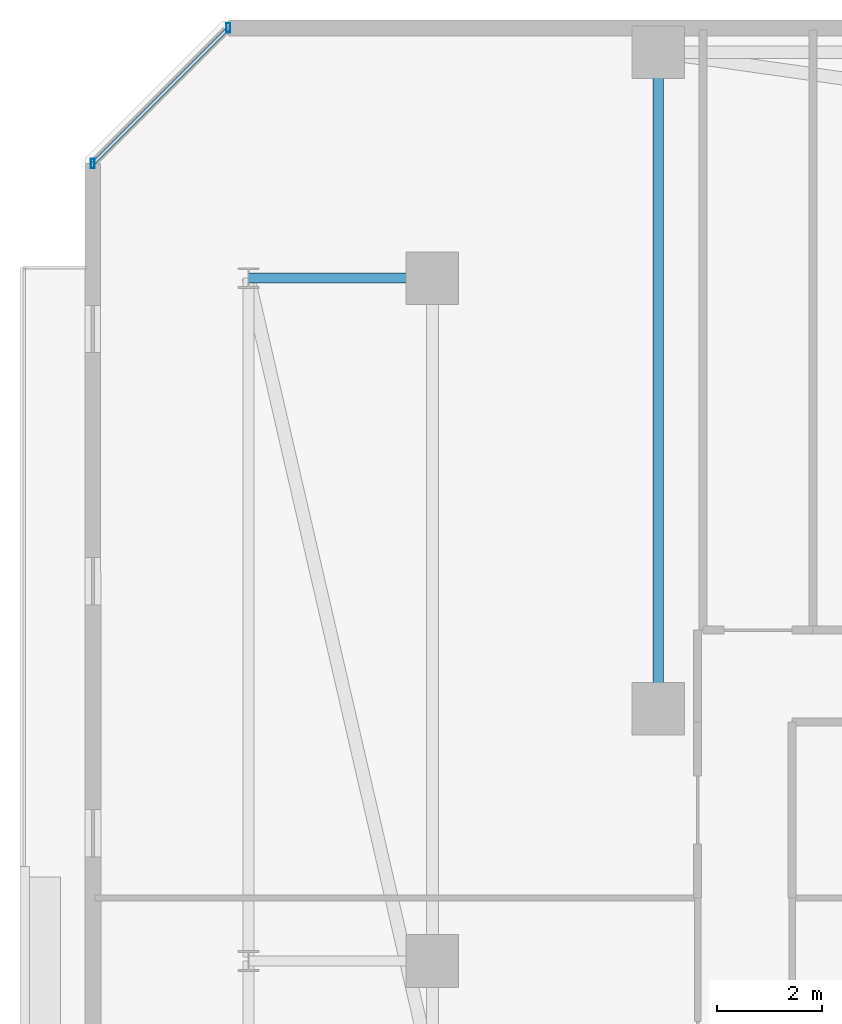
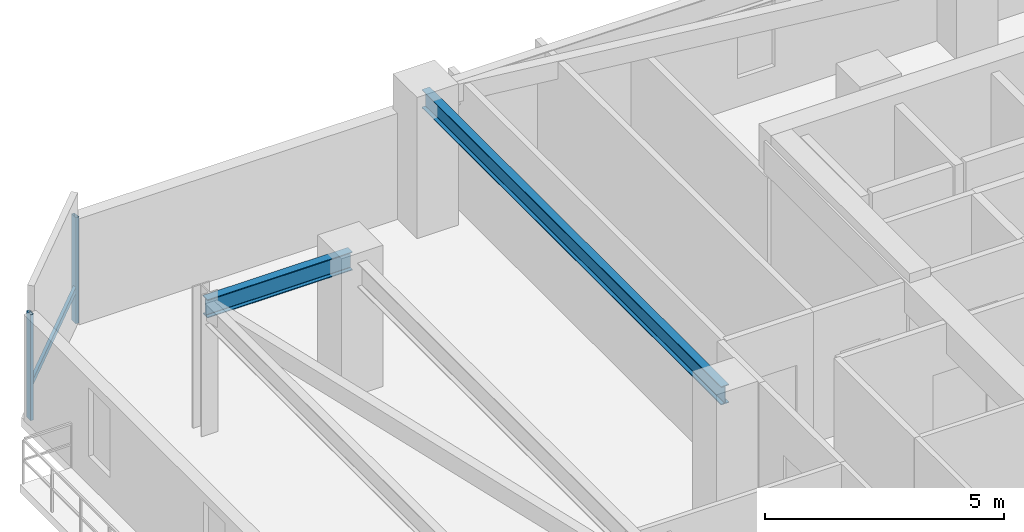
# One storey, part 7 of 32: 3 members, 2 beams, 1 element without a shape of its own.
"""IFC4 building model written with IfcOpenShell, lengths in metres."""

from ifc_helpers import new_model, si_unit, direction, frame, origin, origin_2d, place, context, subcontext, project, spatial, hollow_rectangle, i_section, extrude, material, material_profile, profile_set, type_object, element, aggregate, save


model = new_model("IFC4")

# Units and contexts
model_context = context("Model", 3, precision=1e-05, world=origin(), true_north=direction((0.0, 1.0)))
body_context = subcontext(model_context, "Body", "Model", "MODEL_VIEW")
ifc_project = project(units=[si_unit("LENGTHUNIT", "METRE"), si_unit("AREAUNIT", "SQUARE_METRE"), si_unit("VOLUMEUNIT", "CUBIC_METRE"), si_unit("PLANEANGLEUNIT", "RADIAN"), si_unit("MASSUNIT", "GRAM", prefix="KILO")], contexts=[model_context])

# Site, building, storey
site_placement = place(None, origin())
site = spatial("IfcSite", under=ifc_project, at=site_placement, CompositionType="ELEMENT")
building_placement = place(site_placement, origin())
building = spatial("IfcBuilding", under=site, at=building_placement, Name="Thornwick Lancets Civic Towers", CompositionType="ELEMENT")
storey_placement = place(building_placement, frame((0.0, 0.0, 243.89990234375)))
storey = spatial("IfcBuildingStorey", under=building, at=storey_placement, Name="L65", CompositionType="ELEMENT", Elevation=243.89990234375)

# Beams
ifc_material_1 = material(Name="Steel S355JR", Category="steel")
ifc_material_profile_1 = material_profile(ifc_material_1, i_section(OverallWidth=0.19287109375, OverallDepth=0.46728515625, WebThickness=0.011474609375, FlangeThickness=0.01953125, FilletRadius=0.01025390625, at=origin_2d()), Name="UKB 457x191x98")
ifc_profile_set_1 = profile_set([ifc_material_profile_1], Name="Steel S355JR")
beam_type = type_object("IfcBeamType", Name="BM_JOIST_457_98", PredefinedType="JOIST", material=ifc_profile_set_1)
beam_1_placement = place(storey_placement, frame((12.5, 31.800048828125, 3.12646484375), z_axis=(0.0, 1.0, 0.0), x_axis=(-1.0, 0.0, 0.0)))
element("IfcBeam", 1, at=beam_1_placement, inside=storey, type_object=beam_type, Name="BM-RADIN-L65-A07", PredefinedType="JOIST", context=body_context, shape_type="SweptSolid", body=[
    extrude(i_section(OverallWidth=0.19287109375, OverallDepth=0.46728515625, WebThickness=0.011474609375, FlangeThickness=0.01953125, FilletRadius=0.01025390625, at=origin_2d()), origin(), (0.0, 0.0, 1.0), 12.5),
])
beam_2_placement = place(storey_placement, frame((8.199951171875, 40.0, 3.12646484375), z_axis=(-1.0, 0.0, 0.0), x_axis=(0.0, -1.0, 0.0)))
element("IfcBeam", 2, at=beam_2_placement, inside=storey, type_object=beam_type, Name="BM-RAD-L65-A12", PredefinedType="JOIST", context=body_context, shape_type="SweptSolid", body=[
    extrude(i_section(OverallWidth=0.19287109375, OverallDepth=0.46728515625, WebThickness=0.011474609375, FlangeThickness=0.01953125, FilletRadius=0.01025390625, at=origin_2d()), origin(), (0.0, 0.0, 1.0), 3.5),
])

# Curtain wall, members
ifc_material_2 = material(Name="High-zone chamfered-corner unitised glass curtain wall", Category="glass")
curtain_wall_type = type_object("IfcCurtainWallType", Name="CW_SYS_05", PredefinedType="NOTDEFINED", material=ifc_material_2)
curtain_wall_placement = place(storey_placement, origin())
curtain_wall = element("IfcCurtainWall", 3, at=curtain_wall_placement, inside=storey, type_object=curtain_wall_type, Name="L65 Curtain Wall CW-L65-A-E5", PredefinedType="NOTDEFINED")
ifc_material_3 = material(Name="Thermally broken bronze aluminium S355", Category="steel")
ifc_material_profile_2 = material_profile(ifc_material_3, hollow_rectangle(XDim=0.074951171875, YDim=0.179931640625, WallThickness=0.006103515625, at=origin_2d()), Name="RHS 180x75x6")
ifc_profile_set_2 = profile_set([ifc_material_profile_2], Name="Thermally broken bronze aluminium S355")
member_type_1 = type_object("IfcMemberType", Name="CW_MUL_180", PredefinedType="MULLION", material=ifc_profile_set_2)
member_1_placement = place(storey_placement, frame((4.318603515625, 44.7646484375, 0.0), z_axis=(0.0, 0.0, 1.0), x_axis=(1.0, 0.0, 0.0)))
member_1 = element("IfcMember", 4, at=member_1_placement, type_object=member_type_1, Name="CW-L65-A-E5 Mullion 0", PredefinedType="MULLION", context=body_context, shape_type="SweptSolid", body=[
    extrude(hollow_rectangle(XDim=0.074951171875, YDim=0.179931640625, WallThickness=0.006103515625, at=origin_2d()), origin(), (0.0, 0.0, 1.0), 2.7001953125),
])
member_2_placement = place(storey_placement, frame((1.7353515625, 42.181396484375, 0.0), z_axis=(0.0, 0.0, 1.0), x_axis=(1.0, 0.0, 0.0)))
member_2 = element("IfcMember", 5, at=member_2_placement, type_object=member_type_1, Name="CW-L65-A-E5 Mullion 1", PredefinedType="MULLION", context=body_context, shape_type="SweptSolid", body=[
    extrude(hollow_rectangle(XDim=0.074951171875, YDim=0.179931640625, WallThickness=0.006103515625, at=origin_2d()), origin(), (0.0, 0.0, 1.0), 2.7001953125),
])
ifc_material_profile_3 = material_profile(ifc_material_3, hollow_rectangle(XDim=0.074951171875, YDim=0.14990234375, WallThickness=0.0048828125, at=origin_2d()), Name="RHS 150x75x5")
ifc_profile_set_3 = profile_set([ifc_material_profile_3], Name="Thermally broken bronze aluminium S355")
member_type_2 = type_object("IfcMemberType", Name="CW_TRN_150", PredefinedType="USERDEFINED", material=ifc_profile_set_3)
member_3_placement = place(storey_placement, frame((4.304443359375, 44.75048828125, 0.85009765625), z_axis=(-0.707106781187, -0.707106781187, 0.0), x_axis=(0.707106781187, -0.707106781187, 0.0)))
member_3 = element("IfcMember", 6, at=member_3_placement, type_object=member_type_2, Name="CW-L65-A-E5 Transom 0", ObjectType="TRANSOM", PredefinedType="USERDEFINED", context=body_context, shape_type="SweptSolid", body=[
    extrude(hollow_rectangle(XDim=0.074951171875, YDim=0.14990234375, WallThickness=0.0048828125, at=origin_2d()), origin(), (0.0, 0.0, 1.0), 3.61328125),
])
aggregate(curtain_wall, [member_1, member_2, member_3])

save(model, "model.ifc")
